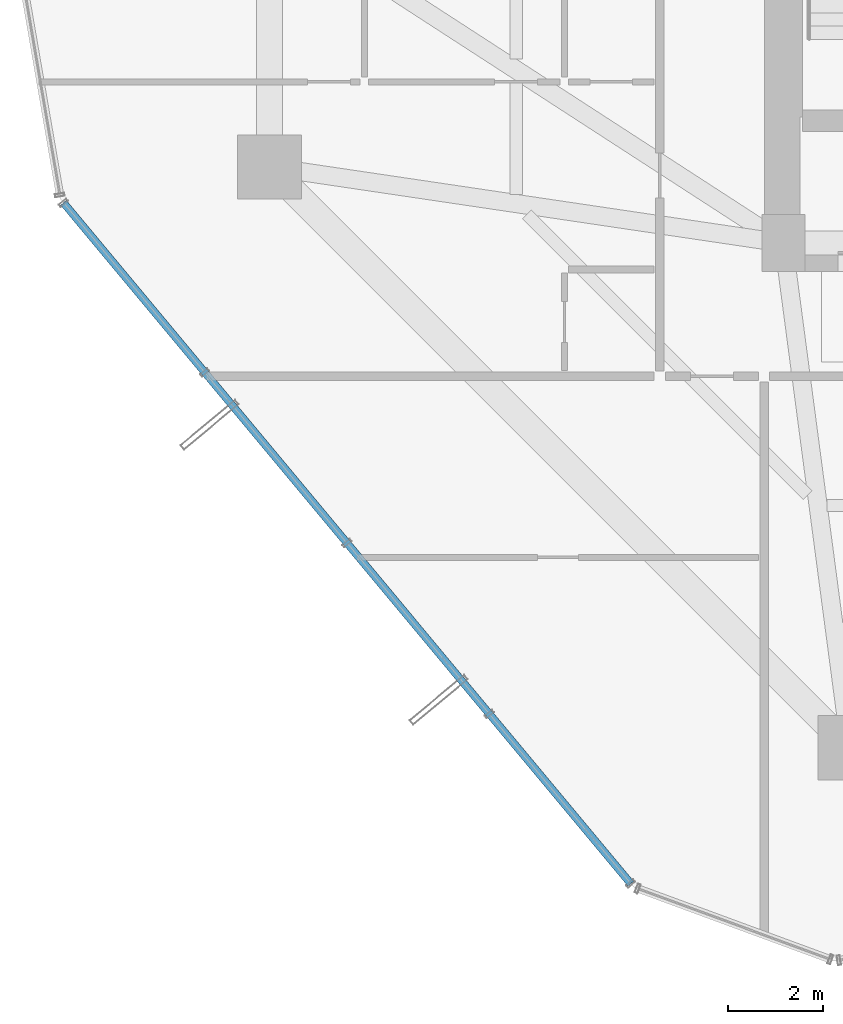
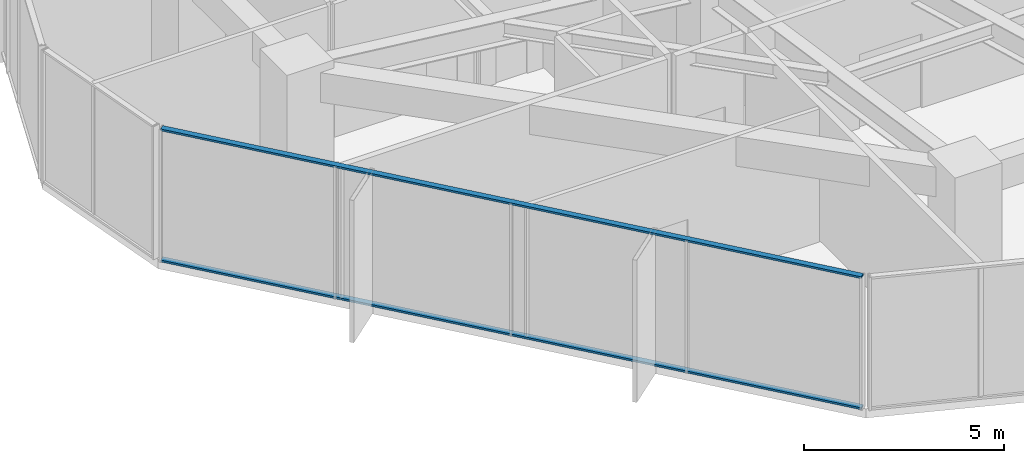
# One storey, part 3 of 35: 2 members, 1 element without a shape of its own.
"""IFC4 building model written with IfcOpenShell, lengths in metres."""

import ifcopenshell
import ifcopenshell.guid

model = None  # the IFC model being written
_history = None  # IfcOwnerHistory: only IFC2X3 demands one
_inside = {}  # id of a spatial element -> (the spatial element, [elements in it])
_under = {}  # id of a project, library or spatial element -> (it, [spatial elements below it])
_declared = {}  # id of a project -> (the project, [libraries it declares])
_typed = {}  # id of a type object -> (the type object, [elements of that type])
_made_of = {}  # id of a material, layer set ... -> (it, [elements and type objects made of it])


def new_model(schema):
    """Start an empty IFC model of exactly this schema.

    Asked for "IFC4X3", IfcOpenShell would pick the latest addendum, in which some entities
    have other attributes; the version numbers below select the first issue.
    IFC2X3 requires an IfcOwnerHistory on every rooted entity: one is made here for all.
    """
    global model, _history
    if schema == "IFC4X3":
        model = ifcopenshell.file(schema_version=(4, 3, 0, 0))
    else:
        model = ifcopenshell.file(schema=schema)
    _inside.clear()
    _under.clear()
    _declared.clear()
    _typed.clear()
    _made_of.clear()
    _history = None
    if model.schema == "IFC2X3":
        org = make("IfcOrganization", Name="unknown")
        user = make(
            "IfcPersonAndOrganization",
            ThePerson=make("IfcPerson", FamilyName="unknown"),
            TheOrganization=org,
        )
        app = make(
            "IfcApplication",
            ApplicationDeveloper=org,
            Version="unknown",
            ApplicationFullName="unknown",
            ApplicationIdentifier="unknown",
        )
        _history = make(
            "IfcOwnerHistory",
            OwningUser=user,
            OwningApplication=app,
            ChangeAction="ADDED",
            CreationDate=0,
        )
    return model


def make(cls, **values):
    """One entity of the class cls with the attributes given. An attribute that is None is left unset."""
    return model.create_entity(
        cls, **{name: value for name, value in values.items() if value is not None}
    )


def rooted(cls, **values):
    """An entity with a GlobalId (a new one), such as an element, a storey or a relation."""
    return make(cls, GlobalId=ifcopenshell.guid.new(), OwnerHistory=_history, **values)


def si_unit(unit_type, name, prefix=None):
    """IfcSIUnit, for example si_unit("LENGTHUNIT", "METRE", prefix="MILLI")."""
    return make("IfcSIUnit", UnitType=unit_type, Prefix=prefix, Name=name)


def assignment(units):
    """IfcUnitAssignment: the units of a project."""
    return None if units is None else make("IfcUnitAssignment", Units=units)


def point(xyz):
    """IfcCartesianPoint."""
    return None if xyz is None else make("IfcCartesianPoint", Coordinates=xyz)


def direction(xyz):
    """IfcDirection."""
    return None if xyz is None else make("IfcDirection", DirectionRatios=xyz)


def frame(location, z_axis=None, x_axis=None):
    """IfcAxis2Placement3D, a coordinate frame: its origin and axes. An axis left out is left unset."""
    return make(
        "IfcAxis2Placement3D",
        Location=point(location),
        Axis=direction(z_axis),
        RefDirection=direction(x_axis),
    )


def frame_2d(location, x_axis=None):
    """IfcAxis2Placement2D, a coordinate frame in the plane: its origin and x axis."""
    return make(
        "IfcAxis2Placement2D", Location=point(location), RefDirection=direction(x_axis)
    )


def origin():
    """The frame at (0, 0, 0) with its axes left unset."""
    return frame((0.0, 0.0, 0.0))


def origin_2d():
    """The frame at (0, 0) in the plane with its x axis left unset."""
    return frame_2d((0.0, 0.0))


def place(relative_to, where):
    """IfcLocalPlacement: puts the frame where relative to a parent placement (None: the world)."""
    return make(
        "IfcLocalPlacement", PlacementRelTo=relative_to, RelativePlacement=where
    )


def context(
    kind, dimensions, precision=None, world=None, true_north=None, identifier=None
):
    """IfcGeometricRepresentationContext, for example the 3D "Model" context."""
    return make(
        "IfcGeometricRepresentationContext",
        ContextIdentifier=identifier,
        ContextType=kind,
        CoordinateSpaceDimension=dimensions,
        Precision=precision,
        WorldCoordinateSystem=world,
        TrueNorth=true_north,
    )


def subcontext(parent, identifier, kind, view, scale=None):
    """IfcGeometricRepresentationSubContext, for example "Body" below "Model"."""
    return make(
        "IfcGeometricRepresentationSubContext",
        ContextIdentifier=identifier,
        ContextType=kind,
        ParentContext=parent,
        TargetScale=scale,
        TargetView=view,
    )


def project(units=None, contexts=None):
    """IfcProject with its units and contexts."""
    return rooted(
        "IfcProject",
        Name="project",
        RepresentationContexts=contexts,
        UnitsInContext=assignment(units),
    )


def spatial(cls, under=None, at=None, **own):
    """A site, building, storey or space (cls), placed at a placement, below another one or the project."""
    s = rooted(cls, ObjectPlacement=at, **own)
    if under is not None:
        _under.setdefault(under.id(), (under, []))[1].append(s)
    return s


def profile(cls, at=None, kind="AREA", **sizes):
    """A parametric profile (cls). Its sizes go by their IFC names, for example OverallWidth=200.0."""
    return make(cls, ProfileType=kind, Position=at, **sizes)


def hollow_rectangle(**sizes):
    """IfcRectangleHollowProfileDef."""
    return profile("IfcRectangleHollowProfileDef", **sizes)


def extrude(swept, where, along, depth):
    """IfcExtrudedAreaSolid: the profile swept, set in the frame where, extruded along a direction by depth."""
    return make(
        "IfcExtrudedAreaSolid",
        SweptArea=swept,
        Position=where,
        ExtrudedDirection=direction(along),
        Depth=depth,
    )


def shape(context_of_items, identifier, shape_type, items):
    """IfcShapeRepresentation: the items that make up one representation, for example the "Body"."""
    return make(
        "IfcShapeRepresentation",
        ContextOfItems=context_of_items,
        RepresentationIdentifier=identifier,
        RepresentationType=shape_type,
        Items=items,
    )


def source(mapping_origin, context_of_items, identifier, shape_type, items):
    """IfcRepresentationMap: a shape defined once, which mapped items show again and again."""
    return make(
        "IfcRepresentationMap",
        MappingOrigin=mapping_origin,
        MappedRepresentation=shape(context_of_items, identifier, shape_type, items),
    )


def transform(
    local_origin,
    x_axis=None,
    y_axis=None,
    z_axis=None,
    scale=None,
    scale2=None,
    scale3=None,
    uniform=True,
):
    """IfcCartesianTransformationOperator3D, or its non-uniform kind. x_axis, y_axis, z_axis: its Axis1, 2, 3."""
    if uniform:
        return make(
            "IfcCartesianTransformationOperator3D",
            Axis1=direction(x_axis),
            Axis2=direction(y_axis),
            LocalOrigin=point(local_origin),
            Scale=scale,
            Axis3=direction(z_axis),
        )
    return make(
        "IfcCartesianTransformationOperator3DnonUniform",
        Axis1=direction(x_axis),
        Axis2=direction(y_axis),
        LocalOrigin=point(local_origin),
        Scale=scale,
        Axis3=direction(z_axis),
        Scale2=scale2,
        Scale3=scale3,
    )


def mapped(mapping_source, mapping_target):
    """IfcMappedItem: shows the shape of a source again, moved by a transform."""
    return make(
        "IfcMappedItem", MappingSource=mapping_source, MappingTarget=mapping_target
    )


def material(Name=None, Category=None):
    """IfcMaterial."""
    return make("IfcMaterial", Name=Name, Category=Category)


def layer(
    of_material, thickness, ventilated=None, Name=None, Category=None, Priority=None
):
    """IfcMaterialLayer: one layer of a wall or slab, of a material (None: an air gap)."""
    return make(
        "IfcMaterialLayer",
        Material=of_material,
        LayerThickness=thickness,
        IsVentilated=ventilated,
        Name=Name,
        Category=Category,
        Priority=Priority,
    )


def layer_set(layers, Name=None):
    """IfcMaterialLayerSet."""
    return make("IfcMaterialLayerSet", MaterialLayers=layers, LayerSetName=Name)


def material_profile(
    of_material, cross_section, Name=None, Category=None, Priority=None
):
    """IfcMaterialProfile: a cross section and its material."""
    return make(
        "IfcMaterialProfile",
        Name=Name,
        Material=of_material,
        Profile=cross_section,
        Priority=Priority,
        Category=Category,
    )


def profile_set(profiles, Name=None, composite=None):
    """IfcMaterialProfileSet."""
    return make(
        "IfcMaterialProfileSet",
        Name=Name,
        MaterialProfiles=profiles,
        CompositeProfile=composite,
    )


def made_of(thing, what):
    """Note that an element or type object is made of a material, layer set ...; save() writes the relation."""
    if what is not None:
        _made_of.setdefault(what.id(), (what, []))[1].append(thing)
    return thing


def type_object(cls, material=None, **own):
    """A type object (cls), such as IfcWallType, which elements share."""
    return made_of(rooted(cls, **own), material)


def element(
    cls,
    number,
    at=None,
    inside=None,
    cuts=None,
    type_object=None,
    material=None,
    context=None,
    identifier="Body",
    shape_type=None,
    held_by="IfcProductDefinitionShape",
    body=None,
    shapes=None,
    **own,
):
    """One element of the class cls, such as IfcWall. Its Tag is "e" and its number.

    at: its placement. inside: the storey or other place that contains it. cuts: it is an
    opening in that element (IfcRelVoidsElement). A single representation is given by context,
    identifier, shape_type and body (its items); several are given by shapes. held_by: the class
    of the entity that holds the representations. save() writes the other relations.
    """
    e = rooted(cls, Tag="e%d" % number, ObjectPlacement=at, **own)
    if body is not None:
        shapes = [shape(context, identifier, shape_type, body)]
    if shapes is not None:
        e.Representation = make(held_by, Representations=shapes)
    if inside is not None:
        _inside.setdefault(inside.id(), (inside, []))[1].append(e)
    if cuts is not None:
        rooted(
            "IfcRelVoidsElement", RelatingBuildingElement=cuts, RelatedOpeningElement=e
        )
    if type_object is not None:
        _typed.setdefault(type_object.id(), (type_object, []))[1].append(e)
    return made_of(e, material)


def aggregate(whole, parts):
    """IfcRelAggregates: a whole, such as a stair, and the parts it consists of."""
    return rooted("IfcRelAggregates", RelatingObject=whole, RelatedObjects=parts)


def save(model, path):
    """Write the relations noted so far, then the file.

    IfcRelAggregates (storeys below a building ...), IfcRelContainedInSpatialStructure (elements
    in a storey), IfcRelDefinesByType, IfcRelAssociatesMaterial and IfcRelDeclares: one each for
    every whole, place, type object, material and project.
    """
    for whole, parts in _under.values():
        aggregate(whole, parts)
    for where, things in _inside.values():
        rooted(
            "IfcRelContainedInSpatialStructure",
            RelatedElements=things,
            RelatingStructure=where,
        )
    for kind, things in _typed.values():
        rooted("IfcRelDefinesByType", RelatedObjects=things, RelatingType=kind)
    for what, things in _made_of.values():
        rooted("IfcRelAssociatesMaterial", RelatedObjects=things, RelatingMaterial=what)
    for by, libraries in _declared.values():
        rooted("IfcRelDeclares", RelatingContext=by, RelatedDefinitions=libraries)
    model.write(path)


model = new_model("IFC4")

# Units and contexts
model_context = context("Model", 3, precision=1e-05, world=origin(), true_north=direction((0.0, 1.0)))
body_context = subcontext(model_context, "Body", "Model", "MODEL_VIEW")
ifc_project = project(units=[si_unit("LENGTHUNIT", "METRE"), si_unit("AREAUNIT", "SQUARE_METRE"), si_unit("VOLUMEUNIT", "CUBIC_METRE"), si_unit("PLANEANGLEUNIT", "RADIAN"), si_unit("MASSUNIT", "GRAM", prefix="KILO")], contexts=[model_context])

# Site, building, storey
site_placement = place(None, origin())
site = spatial("IfcSite", under=ifc_project, at=site_placement, CompositionType="ELEMENT")
building_placement = place(site_placement, origin())
building = spatial("IfcBuilding", under=site, at=building_placement, Name="Veraguas Prism Commons", CompositionType="ELEMENT")
storey_placement = place(building_placement, frame((0.0, 0.0, 56.550048828125)))
storey = spatial("IfcBuildingStorey", under=building, at=storey_placement, Name="L15", CompositionType="ELEMENT", Elevation=56.550048828125)

# Curtain wall, members
ifc_material = material(Name="Anodised aluminium EN AW-6063 T6", Category="aluminium")
ifc_layer = layer(ifc_material, 0.199951171875, Name="Sky Lobby and Pool Acoustic Curtain Wall", Category="aluminium")
ifc_layer_set = layer_set([ifc_layer], Name="Anodised aluminium EN AW-6063 T6")
curtain_wall_type = type_object("IfcCurtainWallType", Name="Sky Lobby and Pool Acoustic Curtain Wall", PredefinedType="NOTDEFINED", material=ifc_layer_set)
curtain_wall_placement = place(storey_placement, origin())
curtain_wall = element("IfcCurtainWall", 1, at=curtain_wall_placement, inside=storey, type_object=curtain_wall_type, Name="Tower Facade Curtain Wall L15-F4", PredefinedType="NOTDEFINED")
ifc_material_profile = material_profile(ifc_material, hollow_rectangle(XDim=0.06005859375, YDim=0.159912109375, WallThickness=0.0029296875, at=origin_2d()), Name="AL60X160X3")
ifc_profile_set = profile_set([ifc_material_profile], Name="Anodised aluminium EN AW-6063 T6")
member_type = type_object("IfcMemberType", Name="Curtain Wall Transom Heavy AL 60x160x3", PredefinedType="USERDEFINED", material=ifc_profile_set)
shared_shape = source(origin(), body_context, "Body", "SweptSolid", [
    extrude(hollow_rectangle(XDim=0.06005859375, YDim=0.159912109375, WallThickness=0.0029296875, at=origin_2d()), origin(), (0.0, 0.0, 1.0), 18.618896484375),
])
member_1_placement = place(storey_placement, frame((2.072509765625, 17.847900390625, 0.030029296875), z_axis=(0.640101851442, -0.768290062268, 0.0), x_axis=(0.0, 0.0, 1.0)))
member_1 = element("IfcMember", 2, at=member_1_placement, type_object=member_type, Name="CW-SKY Transom 1", ObjectType="TRANSOM", PredefinedType="USERDEFINED", context=body_context, shape_type="MappedRepresentation", body=[
    mapped(shared_shape, transform((0.0, 0.0, 0.0), scale=1.0)),
])
member_2_placement = place(storey_placement, frame((2.072509765625, 17.847900390625, 4.02001953125), z_axis=(0.640101851442, -0.768290062268, 0.0), x_axis=(0.0, 0.0, 1.0)))
member_2 = element("IfcMember", 3, at=member_2_placement, type_object=member_type, Name="CW-SKY Transom 2", ObjectType="TRANSOM", PredefinedType="USERDEFINED", context=body_context, shape_type="MappedRepresentation", body=[
    mapped(shared_shape, transform((0.0, 0.0, 0.0), scale=1.0)),
])
aggregate(curtain_wall, [member_1, member_2])

save(model, "model.ifc")
